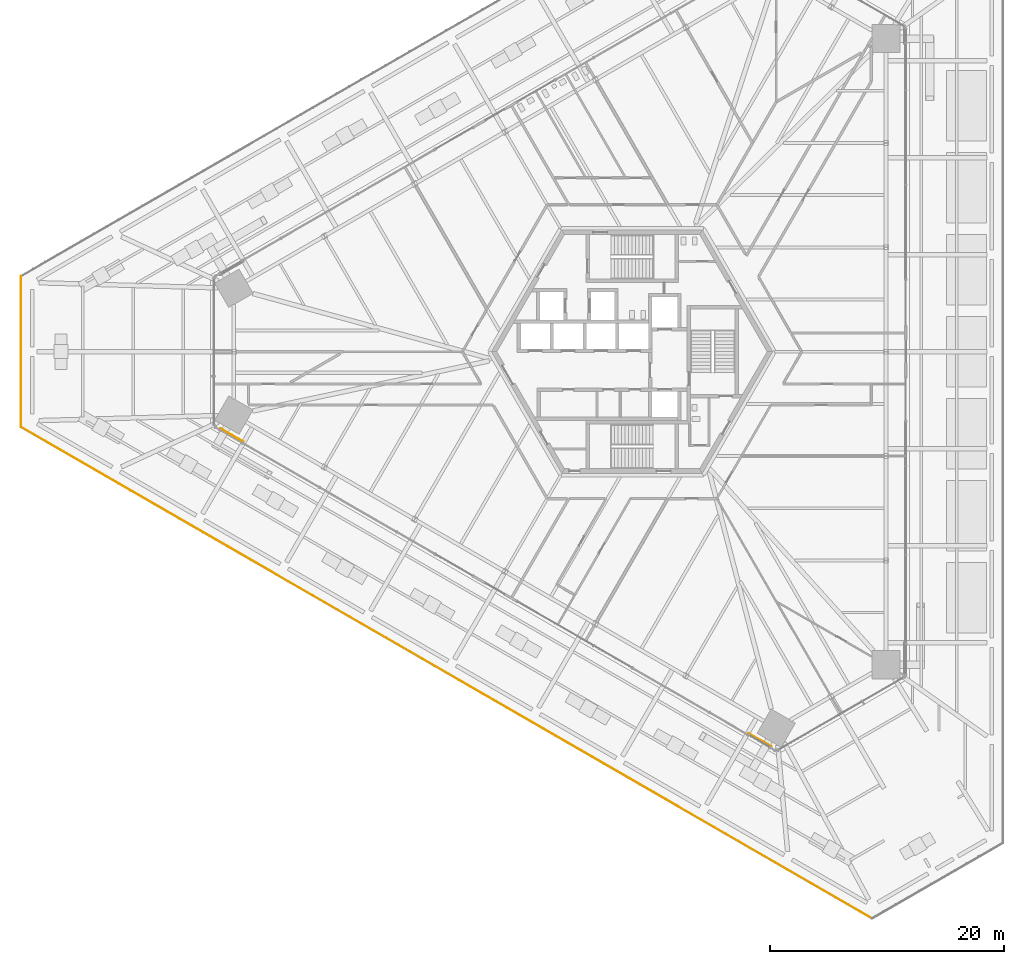
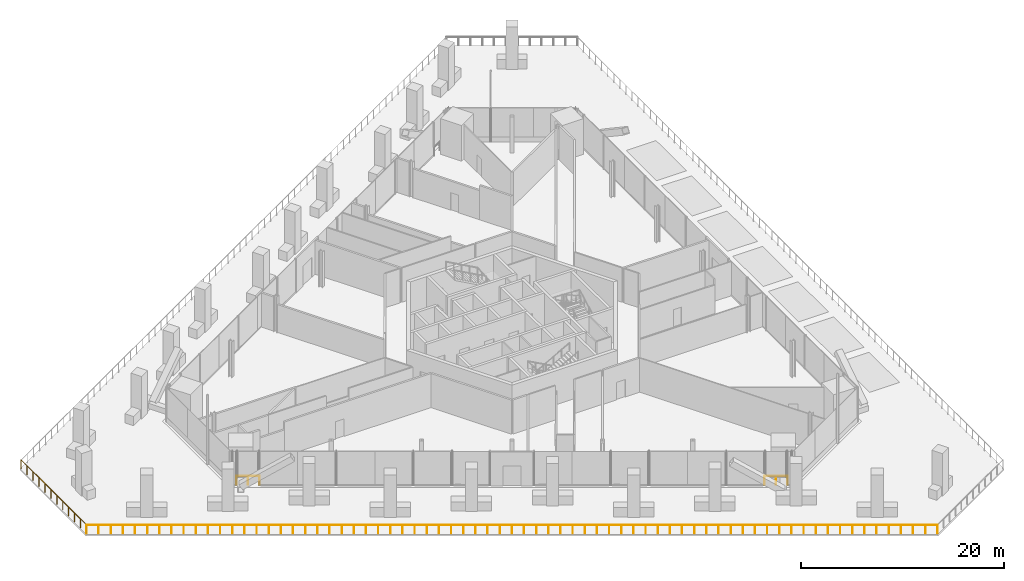
# One storey, part 31 of 38: 4 railings.
"""IFC4 building model written with IfcOpenShell, lengths in metres."""

from ifc_helpers import new_model, si_unit, direction, frame, origin, origin_2d, place, context, subcontext, project, spatial, circle, extrude, source, transform, mapped, material, type_object, element, save


model = new_model("IFC4")

# Units and contexts
model_context = context("Model", 3, precision=1e-05, world=origin(), true_north=direction((0.0, 1.0)))
body_context = subcontext(model_context, "Body", "Model", "MODEL_VIEW")
ifc_project = project(units=[si_unit("LENGTHUNIT", "METRE"), si_unit("AREAUNIT", "SQUARE_METRE"), si_unit("VOLUMEUNIT", "CUBIC_METRE"), si_unit("PLANEANGLEUNIT", "RADIAN"), si_unit("MASSUNIT", "GRAM", prefix="KILO")], contexts=[model_context])

# Site, building, storey
site_placement = place(None, origin())
site = spatial("IfcSite", under=ifc_project, at=site_placement, CompositionType="ELEMENT")
building_placement = place(site_placement, origin())
building = spatial("IfcBuilding", under=site, at=building_placement, Name="Triune Harvest Tower", CompositionType="ELEMENT")
storey_placement = place(building_placement, frame((0.0, 0.0, 16.0)))
storey = spatial("IfcBuildingStorey", under=building, at=storey_placement, Name="L03", CompositionType="ELEMENT", Elevation=16.0)

# Railings
ifc_material_1 = material(Name="Steel ASTM A992 Gr 50", Category="steel")
railing_type_1 = type_object("IfcRailingType", Name="GD-1 terrace guard 1100", PredefinedType="GUARDRAIL", material=ifc_material_1)
railing_1_placement = place(storey_placement, frame((20.495849609375, -48.384521484375, 0.0)))
element("IfcRailing", 1, at=railing_1_placement, inside=storey, type_object=railing_type_1, Name="Terrace guard 2", PredefinedType="GUARDRAIL", context=body_context, shape_type="SweptSolid", body=[
    extrude(circle(Radius=0.02392578125, at=origin_2d()), frame((0.0, 0.0, 1.076171875), z_axis=(-0.866025644997, 0.499999582207, 0.0), x_axis=(-0.499999582207, -0.866025644997, 0.0)), (0.0, 0.0, 1.0), 83.88427734375),
    extrude(circle(Radius=0.02099609375, at=origin_2d()), origin(), (0.0, 0.0, 1.0), 1.052001953125),
    extrude(circle(Radius=0.02099609375, at=origin_2d()), frame((-1.037841796875, 0.59912109375, 0.0)), (0.0, 0.0, 1.0), 1.052001953125),
    extrude(circle(Radius=0.02099609375, at=origin_2d()), frame((-2.07568359375, 1.1982421875, 0.0)), (0.0, 0.0, 1.0), 1.052001953125),
    extrude(circle(Radius=0.02099609375, at=origin_2d()), frame((-3.11328125, 1.797607421875, 0.0)), (0.0, 0.0, 1.0), 1.052001953125),
    extrude(circle(Radius=0.02099609375, at=origin_2d()), frame((-4.151123046875, 2.396728515625, 0.0)), (0.0, 0.0, 1.0), 1.052001953125),
    extrude(circle(Radius=0.02099609375, at=origin_2d()), frame((-5.18896484375, 2.995849609375, 0.0)), (0.0, 0.0, 1.0), 1.052001953125),
    extrude(circle(Radius=0.02099609375, at=origin_2d()), frame((-6.226806640625, 3.594970703125, 0.0)), (0.0, 0.0, 1.0), 1.052001953125),
    extrude(circle(Radius=0.02099609375, at=origin_2d()), frame((-7.2646484375, 4.1943359375, 0.0)), (0.0, 0.0, 1.0), 1.052001953125),
    extrude(circle(Radius=0.02099609375, at=origin_2d()), frame((-8.302490234375, 4.79345703125, 0.0)), (0.0, 0.0, 1.0), 1.052001953125),
    extrude(circle(Radius=0.02099609375, at=origin_2d()), frame((-9.340087890625, 5.392578125, 0.0)), (0.0, 0.0, 1.0), 1.052001953125),
    extrude(circle(Radius=0.02099609375, at=origin_2d()), frame((-10.3779296875, 5.99169921875, 0.0)), (0.0, 0.0, 1.0), 1.052001953125),
    extrude(circle(Radius=0.02099609375, at=origin_2d()), frame((-11.415771484375, 6.5908203125, 0.0)), (0.0, 0.0, 1.0), 1.052001953125),
    extrude(circle(Radius=0.02099609375, at=origin_2d()), frame((-12.45361328125, 7.190185546875, 0.0)), (0.0, 0.0, 1.0), 1.052001953125),
    extrude(circle(Radius=0.02099609375, at=origin_2d()), frame((-13.491455078125, 7.789306640625, 0.0)), (0.0, 0.0, 1.0), 1.052001953125),
    extrude(circle(Radius=0.02099609375, at=origin_2d()), frame((-14.529296875, 8.388427734375, 0.0)), (0.0, 0.0, 1.0), 1.052001953125),
    extrude(circle(Radius=0.02099609375, at=origin_2d()), frame((-15.56689453125, 8.987548828125, 0.0)), (0.0, 0.0, 1.0), 1.052001953125),
    extrude(circle(Radius=0.02099609375, at=origin_2d()), frame((-16.604736328125, 9.586669921875, 0.0)), (0.0, 0.0, 1.0), 1.052001953125),
    extrude(circle(Radius=0.02099609375, at=origin_2d()), frame((-17.642578125, 10.18603515625, 0.0)), (0.0, 0.0, 1.0), 1.052001953125),
    extrude(circle(Radius=0.02099609375, at=origin_2d()), frame((-18.680419921875, 10.78515625, 0.0)), (0.0, 0.0, 1.0), 1.052001953125),
    extrude(circle(Radius=0.02099609375, at=origin_2d()), frame((-19.71826171875, 11.38427734375, 0.0)), (0.0, 0.0, 1.0), 1.052001953125),
    extrude(circle(Radius=0.02099609375, at=origin_2d()), frame((-20.756103515625, 11.9833984375, 0.0)), (0.0, 0.0, 1.0), 1.052001953125),
    extrude(circle(Radius=0.02099609375, at=origin_2d()), frame((-21.793701171875, 12.58251953125, 0.0)), (0.0, 0.0, 1.0), 1.052001953125),
    extrude(circle(Radius=0.02099609375, at=origin_2d()), frame((-22.83154296875, 13.181884765625, 0.0)), (0.0, 0.0, 1.0), 1.052001953125),
    extrude(circle(Radius=0.02099609375, at=origin_2d()), frame((-23.869384765625, 13.781005859375, 0.0)), (0.0, 0.0, 1.0), 1.052001953125),
    extrude(circle(Radius=0.02099609375, at=origin_2d()), frame((-24.9072265625, 14.380126953125, 0.0)), (0.0, 0.0, 1.0), 1.052001953125),
    extrude(circle(Radius=0.02099609375, at=origin_2d()), frame((-25.945068359375, 14.979248046875, 0.0)), (0.0, 0.0, 1.0), 1.052001953125),
    extrude(circle(Radius=0.02099609375, at=origin_2d()), frame((-26.98291015625, 15.57861328125, 0.0)), (0.0, 0.0, 1.0), 1.052001953125),
    extrude(circle(Radius=0.02099609375, at=origin_2d()), frame((-28.0205078125, 16.177734375, 0.0)), (0.0, 0.0, 1.0), 1.052001953125),
    extrude(circle(Radius=0.02099609375, at=origin_2d()), frame((-29.058349609375, 16.77685546875, 0.0)), (0.0, 0.0, 1.0), 1.052001953125),
    extrude(circle(Radius=0.02099609375, at=origin_2d()), frame((-30.09619140625, 17.3759765625, 0.0)), (0.0, 0.0, 1.0), 1.052001953125),
    extrude(circle(Radius=0.02099609375, at=origin_2d()), frame((-31.134033203125, 17.97509765625, 0.0)), (0.0, 0.0, 1.0), 1.052001953125),
    extrude(circle(Radius=0.02099609375, at=origin_2d()), frame((-32.171875, 18.574462890625, 0.0)), (0.0, 0.0, 1.0), 1.052001953125),
    extrude(circle(Radius=0.02099609375, at=origin_2d()), frame((-33.209716796875, 19.173583984375, 0.0)), (0.0, 0.0, 1.0), 1.052001953125),
    extrude(circle(Radius=0.02099609375, at=origin_2d()), frame((-34.247314453125, 19.772705078125, 0.0)), (0.0, 0.0, 1.0), 1.052001953125),
    extrude(circle(Radius=0.02099609375, at=origin_2d()), frame((-35.28515625, 20.371826171875, 0.0)), (0.0, 0.0, 1.0), 1.052001953125),
    extrude(circle(Radius=0.02099609375, at=origin_2d()), frame((-36.322998046875, 20.97119140625, 0.0)), (0.0, 0.0, 1.0), 1.052001953125),
    extrude(circle(Radius=0.02099609375, at=origin_2d()), frame((-37.36083984375, 21.5703125, 0.0)), (0.0, 0.0, 1.0), 1.052001953125),
    extrude(circle(Radius=0.02099609375, at=origin_2d()), frame((-38.398681640625, 22.16943359375, 0.0)), (0.0, 0.0, 1.0), 1.052001953125),
    extrude(circle(Radius=0.02099609375, at=origin_2d()), frame((-39.436279296875, 22.7685546875, 0.0)), (0.0, 0.0, 1.0), 1.052001953125),
    extrude(circle(Radius=0.02099609375, at=origin_2d()), frame((-40.47412109375, 23.36767578125, 0.0)), (0.0, 0.0, 1.0), 1.052001953125),
    extrude(circle(Radius=0.02099609375, at=origin_2d()), frame((-41.511962890625, 23.967041015625, 0.0)), (0.0, 0.0, 1.0), 1.052001953125),
    extrude(circle(Radius=0.02099609375, at=origin_2d()), frame((-42.5498046875, 24.566162109375, 0.0)), (0.0, 0.0, 1.0), 1.052001953125),
    extrude(circle(Radius=0.02099609375, at=origin_2d()), frame((-43.587646484375, 25.165283203125, 0.0)), (0.0, 0.0, 1.0), 1.052001953125),
    extrude(circle(Radius=0.02099609375, at=origin_2d()), frame((-44.62548828125, 25.764404296875, 0.0)), (0.0, 0.0, 1.0), 1.052001953125),
    extrude(circle(Radius=0.02099609375, at=origin_2d()), frame((-45.6630859375, 26.363525390625, 0.0)), (0.0, 0.0, 1.0), 1.052001953125),
    extrude(circle(Radius=0.02099609375, at=origin_2d()), frame((-46.700927734375, 26.962890625, 0.0)), (0.0, 0.0, 1.0), 1.052001953125),
    extrude(circle(Radius=0.02099609375, at=origin_2d()), frame((-47.73876953125, 27.56201171875, 0.0)), (0.0, 0.0, 1.0), 1.052001953125),
    extrude(circle(Radius=0.02099609375, at=origin_2d()), frame((-48.776611328125, 28.1611328125, 0.0)), (0.0, 0.0, 1.0), 1.052001953125),
    extrude(circle(Radius=0.02099609375, at=origin_2d()), frame((-49.814453125, 28.76025390625, 0.0)), (0.0, 0.0, 1.0), 1.052001953125),
    extrude(circle(Radius=0.02099609375, at=origin_2d()), frame((-50.852294921875, 29.359375, 0.0)), (0.0, 0.0, 1.0), 1.052001953125),
    extrude(circle(Radius=0.02099609375, at=origin_2d()), frame((-51.889892578125, 29.958740234375, 0.0)), (0.0, 0.0, 1.0), 1.052001953125),
    extrude(circle(Radius=0.02099609375, at=origin_2d()), frame((-52.927734375, 30.557861328125, 0.0)), (0.0, 0.0, 1.0), 1.052001953125),
    extrude(circle(Radius=0.02099609375, at=origin_2d()), frame((-53.965576171875, 31.156982421875, 0.0)), (0.0, 0.0, 1.0), 1.052001953125),
    extrude(circle(Radius=0.02099609375, at=origin_2d()), frame((-55.00341796875, 31.756103515625, 0.0)), (0.0, 0.0, 1.0), 1.052001953125),
    extrude(circle(Radius=0.02099609375, at=origin_2d()), frame((-56.041259765625, 32.35546875, 0.0)), (0.0, 0.0, 1.0), 1.052001953125),
    extrude(circle(Radius=0.02099609375, at=origin_2d()), frame((-57.0791015625, 32.95458984375, 0.0)), (0.0, 0.0, 1.0), 1.052001953125),
    extrude(circle(Radius=0.02099609375, at=origin_2d()), frame((-58.11669921875, 33.5537109375, 0.0)), (0.0, 0.0, 1.0), 1.052001953125),
    extrude(circle(Radius=0.02099609375, at=origin_2d()), frame((-59.154541015625, 34.15283203125, 0.0)), (0.0, 0.0, 1.0), 1.052001953125),
    extrude(circle(Radius=0.02099609375, at=origin_2d()), frame((-60.1923828125, 34.751953125, 0.0)), (0.0, 0.0, 1.0), 1.052001953125),
    extrude(circle(Radius=0.02099609375, at=origin_2d()), frame((-61.230224609375, 35.351318359375, 0.0)), (0.0, 0.0, 1.0), 1.052001953125),
    extrude(circle(Radius=0.02099609375, at=origin_2d()), frame((-62.26806640625, 35.950439453125, 0.0)), (0.0, 0.0, 1.0), 1.052001953125),
    extrude(circle(Radius=0.02099609375, at=origin_2d()), frame((-63.305908203125, 36.549560546875, 0.0)), (0.0, 0.0, 1.0), 1.052001953125),
    extrude(circle(Radius=0.02099609375, at=origin_2d()), frame((-64.343505859375, 37.148681640625, 0.0)), (0.0, 0.0, 1.0), 1.052001953125),
    extrude(circle(Radius=0.02099609375, at=origin_2d()), frame((-65.38134765625, 37.748046875, 0.0)), (0.0, 0.0, 1.0), 1.052001953125),
    extrude(circle(Radius=0.02099609375, at=origin_2d()), frame((-66.419189453125, 38.34716796875, 0.0)), (0.0, 0.0, 1.0), 1.052001953125),
    extrude(circle(Radius=0.02099609375, at=origin_2d()), frame((-67.45703125, 38.9462890625, 0.0)), (0.0, 0.0, 1.0), 1.052001953125),
    extrude(circle(Radius=0.02099609375, at=origin_2d()), frame((-68.494873046875, 39.54541015625, 0.0)), (0.0, 0.0, 1.0), 1.052001953125),
    extrude(circle(Radius=0.02099609375, at=origin_2d()), frame((-69.53271484375, 40.14453125, 0.0)), (0.0, 0.0, 1.0), 1.052001953125),
    extrude(circle(Radius=0.02099609375, at=origin_2d()), frame((-70.5703125, 40.743896484375, 0.0)), (0.0, 0.0, 1.0), 1.052001953125),
    extrude(circle(Radius=0.02099609375, at=origin_2d()), frame((-71.608154296875, 41.343017578125, 0.0)), (0.0, 0.0, 1.0), 1.052001953125),
    extrude(circle(Radius=0.02099609375, at=origin_2d()), frame((-72.64599609375, 41.942138671875, 0.0)), (0.0, 0.0, 1.0), 1.052001953125),
])
railing_2_placement = place(storey_placement, frame((-52.150146484375, -6.4423828125, 0.0)))
element("IfcRailing", 2, at=railing_2_placement, inside=storey, type_object=railing_type_1, Name="Terrace guard 3", PredefinedType="GUARDRAIL", context=body_context, shape_type="SweptSolid", body=[
    extrude(circle(Radius=0.02392578125, at=origin_2d()), frame((0.0, 0.0, 1.076171875), z_axis=(0.0, 1.0, 0.0), x_axis=(-1.0, 0.0, 0.0)), (0.0, 0.0, 1.0), 12.884765625),
    extrude(circle(Radius=0.02099609375, at=origin_2d()), origin(), (0.0, 0.0, 1.0), 1.052001953125),
    extrude(circle(Radius=0.02099609375, at=origin_2d()), frame((0.0, 1.17138671875, 0.0)), (0.0, 0.0, 1.0), 1.052001953125),
    extrude(circle(Radius=0.02099609375, at=origin_2d()), frame((0.0, 2.3427734375, 0.0)), (0.0, 0.0, 1.0), 1.052001953125),
    extrude(circle(Radius=0.02099609375, at=origin_2d()), frame((0.0, 3.513916015625, 0.0)), (0.0, 0.0, 1.0), 1.052001953125),
    extrude(circle(Radius=0.02099609375, at=origin_2d()), frame((0.0, 4.685302734375, 0.0)), (0.0, 0.0, 1.0), 1.052001953125),
    extrude(circle(Radius=0.02099609375, at=origin_2d()), frame((0.0, 5.856689453125, 0.0)), (0.0, 0.0, 1.0), 1.052001953125),
    extrude(circle(Radius=0.02099609375, at=origin_2d()), frame((0.0, 7.028076171875, 0.0)), (0.0, 0.0, 1.0), 1.052001953125),
    extrude(circle(Radius=0.02099609375, at=origin_2d()), frame((0.0, 8.199462890625, 0.0)), (0.0, 0.0, 1.0), 1.052001953125),
    extrude(circle(Radius=0.02099609375, at=origin_2d()), frame((0.0, 9.370849609375, 0.0)), (0.0, 0.0, 1.0), 1.052001953125),
    extrude(circle(Radius=0.02099609375, at=origin_2d()), frame((0.0, 10.5419921875, 0.0)), (0.0, 0.0, 1.0), 1.052001953125),
    extrude(circle(Radius=0.02099609375, at=origin_2d()), frame((0.0, 11.71337890625, 0.0)), (0.0, 0.0, 1.0), 1.052001953125),
    extrude(circle(Radius=0.02099609375, at=origin_2d()), frame((0.0, 12.884765625, 0.0)), (0.0, 0.0, 1.0), 1.052001953125),
])
ifc_material_2 = material(Name="Glass", Category="glass")
railing_type_2 = type_object("IfcRailingType", Name="GD-3 facade guard 1100", PredefinedType="GUARDRAIL", material=ifc_material_2)
shared_shape = source(origin(), body_context, "Body", "SweptSolid", [
    extrude(circle(Radius=0.02392578125, at=origin_2d()), frame((0.0, 0.0, 1.076171875), z_axis=(0.866056598889, -0.499945964601, 0.0), x_axis=(0.499945964601, 0.866056598889, 0.0)), (0.0, 0.0, 1.0), 2.269287109375),
    extrude(circle(Radius=0.02099609375, at=origin_2d()), origin(), (0.0, 0.0, 1.0), 1.052001953125),
    extrude(circle(Radius=0.02099609375, at=origin_2d()), frame((0.982666015625, -0.5673828125, 0.0)), (0.0, 0.0, 1.0), 1.052001953125),
    extrude(circle(Radius=0.02099609375, at=origin_2d()), frame((1.96533203125, -1.134521484375, 0.0)), (0.0, 0.0, 1.0), 1.052001953125),
])
for number, where, name in (
    (3, (-35.138427734375, -6.556640625, 0.0), "Facade guard B1-F5 L03.1.1"),
    (4, (9.92578125, -32.574462890625, 0.0), "Facade guard B1-F5 L03.2.1"),
):
    element("IfcRailing", number, at=place(storey_placement, frame(where)), inside=storey, type_object=railing_type_2, Name=name, PredefinedType="GUARDRAIL", context=body_context, shape_type="MappedRepresentation", body=[
        mapped(shared_shape, transform((0.0, 0.0, 0.0), scale=1.0)),
    ])

save(model, "model.ifc")
